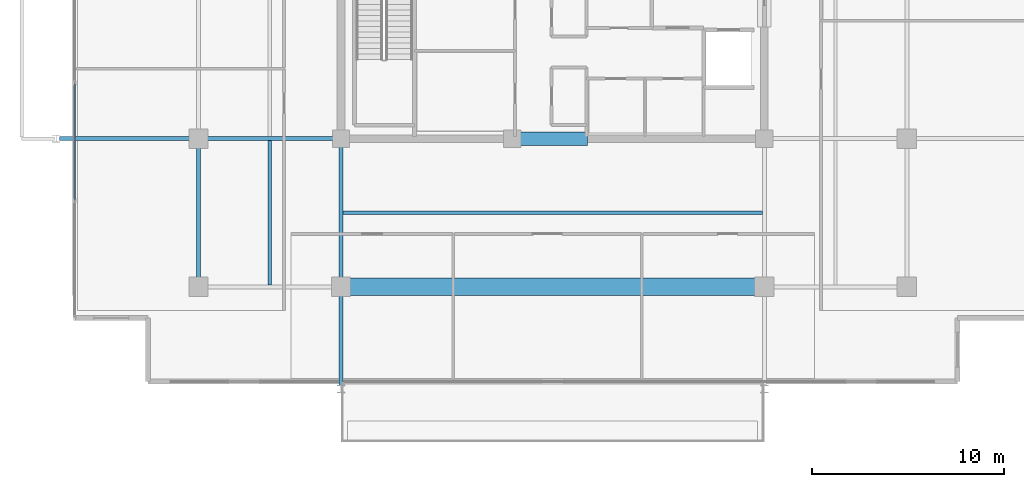
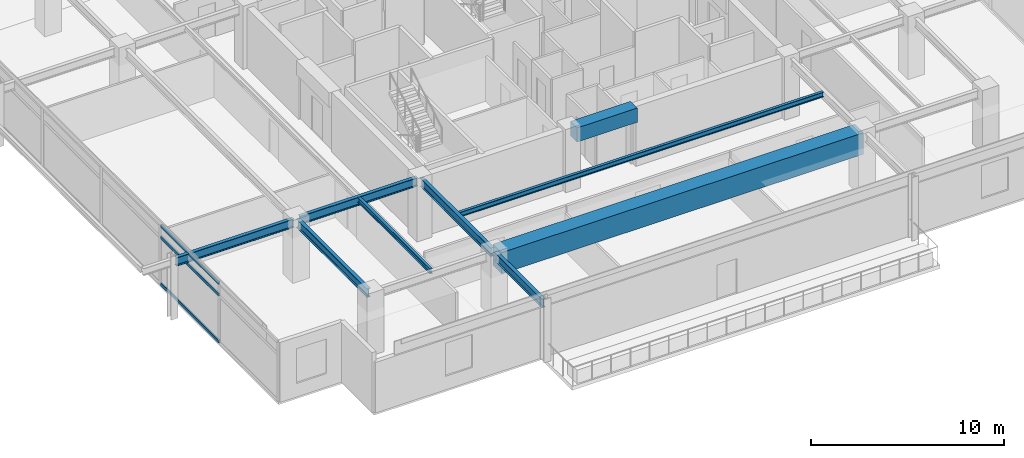
# One storey, part 3 of 21: 9 beams, 3 members, 1 element without a shape of its own.
"""IFC4 building model written with IfcOpenShell, lengths in metres."""

from ifc_helpers import new_model, si_unit, direction, frame, origin, origin_2d, place, context, subcontext, project, spatial, rectangle, hollow_rectangle, i_section, extrude, material, material_profile, profile_set, type_object, element, aggregate, save


model = new_model("IFC4")

# Units and contexts
model_context = context("Model", 3, precision=1e-05, world=origin(), true_north=direction((0.0, 1.0)))
body_context = subcontext(model_context, "Body", "Model", "MODEL_VIEW")
ifc_project = project(units=[si_unit("LENGTHUNIT", "METRE"), si_unit("AREAUNIT", "SQUARE_METRE"), si_unit("VOLUMEUNIT", "CUBIC_METRE"), si_unit("PLANEANGLEUNIT", "RADIAN"), si_unit("MASSUNIT", "GRAM", prefix="KILO")], contexts=[model_context])

# Site, building, storey
site_placement = place(None, origin())
site = spatial("IfcSite", under=ifc_project, at=site_placement, CompositionType="ELEMENT")
building_placement = place(site_placement, origin())
building = spatial("IfcBuilding", under=site, at=building_placement, Name="Kovane Verandah Tower", CompositionType="ELEMENT")
storey_placement = place(building_placement, frame((0.0, 0.0, 326.800048828125)))
storey = spatial("IfcBuildingStorey", under=building, at=storey_placement, Name="L76", CompositionType="ELEMENT", Elevation=326.800048828125)

# Beams
ifc_material_1 = material(Name="Concrete C60/75", Category="concrete")
ifc_material_profile_1 = material_profile(ifc_material_1, rectangle(XDim=0.699951171875, YDim=0.89990234375, at=origin_2d()), Name="RCB700x900")
ifc_profile_set_1 = profile_set([ifc_material_profile_1], Name="Concrete C60/75")
beam_type_1 = type_object("IfcBeamType", Name="BM-LINTEL-700x900", PredefinedType="LINTEL", material=ifc_profile_set_1)
beam_1_placement = place(storey_placement, frame((38.199951171875, 18.5, 3.3349609375), z_axis=(1.0, 0.0, 0.0), x_axis=(0.0, 1.0, 0.0)))
element("IfcBeam", 1, at=beam_1_placement, inside=storey, type_object=beam_type_1, Name="L76 Core Coupling Lintel CL-S", PredefinedType="LINTEL", context=body_context, shape_type="SweptSolid", body=[
    extrude(rectangle(XDim=0.699951171875, YDim=0.89990234375, at=origin_2d()), origin(), (0.0, 0.0, 1.0), 3.60009765625),
])
ifc_material_2 = material(Name="Concrete C80/95", Category="concrete")
ifc_material_profile_2 = material_profile(ifc_material_2, rectangle(XDim=0.89990234375, YDim=1.35009765625, at=origin_2d()), Name="RCB900x1350")
ifc_profile_set_2 = profile_set([ifc_material_profile_2], Name="Concrete C80/95")
beam_type_2 = type_object("IfcBeamType", Name="BM-TR-900x1350", PredefinedType="BEAM", material=ifc_profile_set_2)
beam_2_placement = place(storey_placement, frame((29.179931640625, 10.800048828125, 3.10986328125), z_axis=(1.0, 0.0, 0.0), x_axis=(0.0, 1.0, 0.0)))
element("IfcBeam", 2, at=beam_2_placement, inside=storey, type_object=beam_type_2, Name="L76 Primary Tower Girder G-RS2", PredefinedType="BEAM", context=body_context, shape_type="SweptSolid", body=[
    extrude(rectangle(XDim=0.89990234375, YDim=1.35009765625, at=origin_2d()), origin(), (0.0, 0.0, 1.0), 21.64013671875),
])
ifc_material_3 = material(Name="Steel S355", Category="steel")
ifc_material_profile_3 = material_profile(ifc_material_3, i_section(OverallWidth=0.2119140625, OverallDepth=0.54443359375, WebThickness=0.0126953125, FlangeThickness=0.021240234375, FilletRadius=0.0126953125, at=origin_2d()), Name="UB533x210x122")
ifc_profile_set_3 = profile_set([ifc_material_profile_3], Name="Steel S355")
beam_type_3 = type_object("IfcBeamType", Name="BM-UB533x122", PredefinedType="BEAM", material=ifc_profile_set_3)
beam_3_placement = place(storey_placement, frame((21.60009765625, 10.97998046875, 3.5126953125), z_axis=(0.0, 1.0, 0.0), x_axis=(-1.0, 0.0, 0.0)))
element("IfcBeam", 3, at=beam_3_placement, inside=storey, type_object=beam_type_3, Name="L76 Primary Tower Girder G-RW1", PredefinedType="BEAM", context=body_context, shape_type="SweptSolid", body=[
    extrude(i_section(OverallWidth=0.2119140625, OverallDepth=0.54443359375, WebThickness=0.0126953125, FlangeThickness=0.021240234375, FilletRadius=0.0126953125, at=origin_2d()), origin(), (0.0, 0.0, 1.0), 7.340087890625),
])
beam_4_placement = place(storey_placement, frame((28.820068359375, 18.5, 3.5126953125), z_axis=(-1.0, 0.0, 0.0), x_axis=(0.0, -1.0, 0.0)))
element("IfcBeam", 4, at=beam_4_placement, inside=storey, type_object=beam_type_3, Name="L76 Primary Tower Girder G-W1", PredefinedType="BEAM", context=body_context, shape_type="SweptSolid", body=[
    extrude(i_section(OverallWidth=0.2119140625, OverallDepth=0.54443359375, WebThickness=0.0126953125, FlangeThickness=0.021240234375, FilletRadius=0.0126953125, at=origin_2d()), origin(), (0.0, 0.0, 1.0), 7.0400390625),
])
beam_5_placement = place(storey_placement, frame((29.0, 18.320068359375, 3.5126953125), z_axis=(0.0, -1.0, 0.0), x_axis=(1.0, 0.0, 0.0)))
element("IfcBeam", 5, at=beam_5_placement, inside=storey, type_object=beam_type_3, Name="L76 Primary Tower Girder G-S1", PredefinedType="BEAM", context=body_context, shape_type="SweptSolid", body=[
    extrude(i_section(OverallWidth=0.2119140625, OverallDepth=0.54443359375, WebThickness=0.0126953125, FlangeThickness=0.021240234375, FilletRadius=0.0126953125, at=origin_2d()), origin(), (0.0, 0.0, 1.0), 7.340087890625),
])
beam_6_placement = place(storey_placement, frame((21.419921875, 18.5, 3.48779296875), z_axis=(-1.0, 0.0, 0.0), x_axis=(0.0, -1.0, 0.0)))
element("IfcBeam", 6, at=beam_6_placement, inside=storey, type_object=beam_type_3, Name="L76 Primary Tower Girder G-VW1", PredefinedType="BEAM", context=body_context, shape_type="SweptSolid", body=[
    extrude(i_section(OverallWidth=0.2119140625, OverallDepth=0.54443359375, WebThickness=0.0126953125, FlangeThickness=0.021240234375, FilletRadius=0.0126953125, at=origin_2d()), origin(), (0.0, 0.0, 1.0), 7.0400390625),
])
beam_7_placement = place(storey_placement, frame((29.0, 10.6201171875, 3.48779296875), z_axis=(0.0, -1.0, 0.0), x_axis=(1.0, 0.0, 0.0)))
element("IfcBeam", 7, at=beam_7_placement, inside=storey, type_object=beam_type_3, Name="L76 Primary Tower Girder G-VS1", PredefinedType="BEAM", context=body_context, shape_type="SweptSolid", body=[
    extrude(i_section(OverallWidth=0.2119140625, OverallDepth=0.54443359375, WebThickness=0.0126953125, FlangeThickness=0.021240234375, FilletRadius=0.0126953125, at=origin_2d()), origin(), (0.0, 0.0, 1.0), 4.940185546875),
])

# Curtain wall, members
ifc_material_4 = material(Name="Champagne Anodised Aluminium Frame with Low-E Clear Laminated Glass", Category="aluminium")
curtain_wall_type = type_object("IfcCurtainWallType", Name="CW-SYS-05-HIGH", PredefinedType="NOTDEFINED", material=ifc_material_4)
curtain_wall_placement = place(storey_placement, origin())
curtain_wall = element("IfcCurtainWall", 8, at=curtain_wall_placement, inside=storey, type_object=curtain_wall_type, Name="L76 W Unitised Curtain Wall", PredefinedType="NOTDEFINED")
ifc_material_5 = material(Name="Champagne Anodised Aluminium 6063-T6", Category="aluminium")
ifc_material_profile_4 = material_profile(ifc_material_5, hollow_rectangle(XDim=0.0849609375, YDim=0.18994140625, WallThickness=0.00390625, at=origin_2d()), Name="AL85x190x4")
ifc_profile_set_4 = profile_set([ifc_material_profile_4], Name="Champagne Anodised Aluminium 6063-T6")
member_type = type_object("IfcMemberType", Name="CW-TRN-85x190", PredefinedType="USERDEFINED", material=ifc_profile_set_4)
member_1_placement = place(storey_placement, frame((15.16845703125, 21.3447265625, 0.050048828125), z_axis=(0.0, -1.0, 0.0), x_axis=(1.0, 0.0, 0.0)))
member_1 = element("IfcMember", 9, at=member_1_placement, type_object=member_type, Name="L76 W Unitised Curtain Wall Transom TB Bay 5", ObjectType="TRANSOM", PredefinedType="USERDEFINED", context=body_context, shape_type="SweptSolid", body=[
    extrude(hollow_rectangle(XDim=0.0849609375, YDim=0.18994140625, WallThickness=0.00390625, at=origin_2d()), origin(), (0.0, 0.0, 1.0), 6.005126953125),
])
member_2_placement = place(storey_placement, frame((15.16845703125, 21.3447265625, 3.0048828125), z_axis=(0.0, -1.0, 0.0), x_axis=(1.0, 0.0, 0.0)))
member_2 = element("IfcMember", 10, at=member_2_placement, type_object=member_type, Name="L76 W Unitised Curtain Wall Transom TM Bay 5", ObjectType="TRANSOM", PredefinedType="USERDEFINED", context=body_context, shape_type="SweptSolid", body=[
    extrude(hollow_rectangle(XDim=0.0849609375, YDim=0.18994140625, WallThickness=0.00390625, at=origin_2d()), origin(), (0.0, 0.0, 1.0), 6.005126953125),
])
member_3_placement = place(storey_placement, frame((15.16845703125, 21.3447265625, 3.73486328125), z_axis=(0.0, -1.0, 0.0), x_axis=(1.0, 0.0, 0.0)))
member_3 = element("IfcMember", 11, at=member_3_placement, type_object=member_type, Name="L76 W Unitised Curtain Wall Transom TT Bay 5", ObjectType="TRANSOM", PredefinedType="USERDEFINED", context=body_context, shape_type="SweptSolid", body=[
    extrude(hollow_rectangle(XDim=0.0849609375, YDim=0.18994140625, WallThickness=0.00390625, at=origin_2d()), origin(), (0.0, 0.0, 1.0), 6.005126953125),
])
aggregate(curtain_wall, [member_1, member_2, member_3])

# Beams
ifc_material_profile_5 = material_profile(ifc_material_3, i_section(OverallWidth=0.1669921875, OverallDepth=0.310302734375, WebThickness=0.0078125, FlangeThickness=0.013671875, FilletRadius=0.0087890625, at=origin_2d()), Name="UB305x165x54")
ifc_profile_set_5 = profile_set([ifc_material_profile_5], Name="Steel S355")
beam_type_4 = type_object("IfcBeamType", Name="JST-UB305x54", PredefinedType="JOIST", material=ifc_profile_set_5)
beam_8_placement = place(storey_placement, frame((29.10400390625, 14.64990234375, 3.629638671875), z_axis=(1.0, 0.0, 0.0), x_axis=(0.0, 1.0, 0.0)))
element("IfcBeam", 12, at=beam_8_placement, inside=storey, type_object=beam_type_4, Name="L76 Secondary Composite Joist J-S1", PredefinedType="JOIST", context=body_context, shape_type="SweptSolid", body=[
    extrude(i_section(OverallWidth=0.1669921875, OverallDepth=0.310302734375, WebThickness=0.0078125, FlangeThickness=0.013671875, FilletRadius=0.0087890625, at=origin_2d()), origin(), (0.0, 0.0, 1.0), 21.7919921875),
])
beam_9_placement = place(storey_placement, frame((25.300048828125, 10.904052734375, 3.629638671875), z_axis=(0.0, 1.0, 0.0), x_axis=(-1.0, 0.0, 0.0)))
element("IfcBeam", 13, at=beam_9_placement, inside=storey, type_object=beam_type_4, Name="L76 Secondary Composite Joist J-SW1", PredefinedType="JOIST", context=body_context, shape_type="SweptSolid", body=[
    extrude(i_section(OverallWidth=0.1669921875, OverallDepth=0.310302734375, WebThickness=0.0078125, FlangeThickness=0.013671875, FilletRadius=0.0087890625, at=origin_2d()), origin(), (0.0, 0.0, 1.0), 7.491943359375),
])

save(model, "model.ifc")
